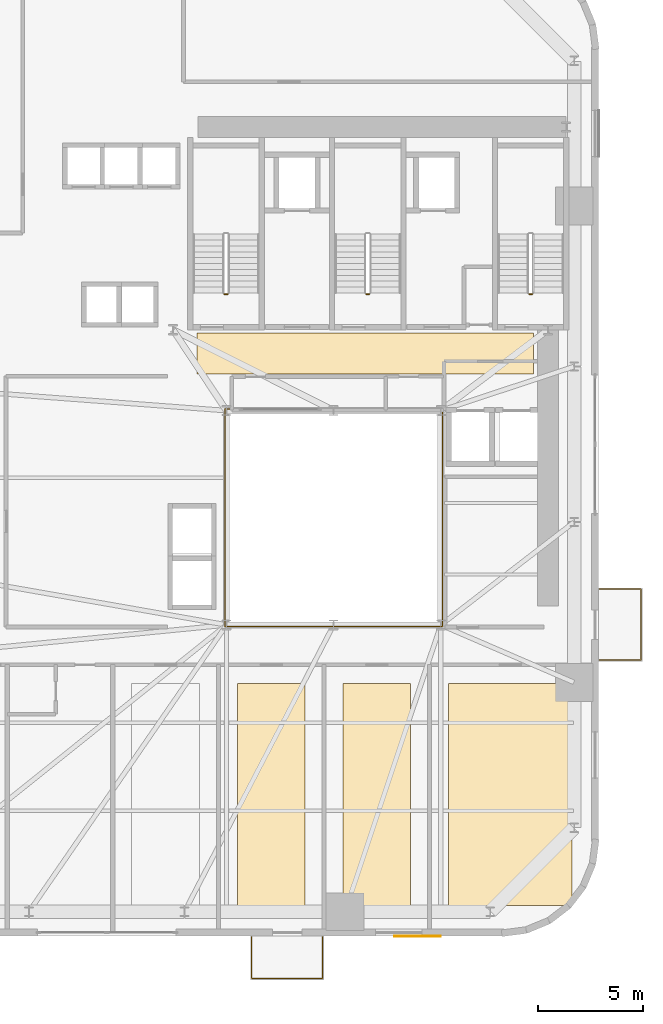
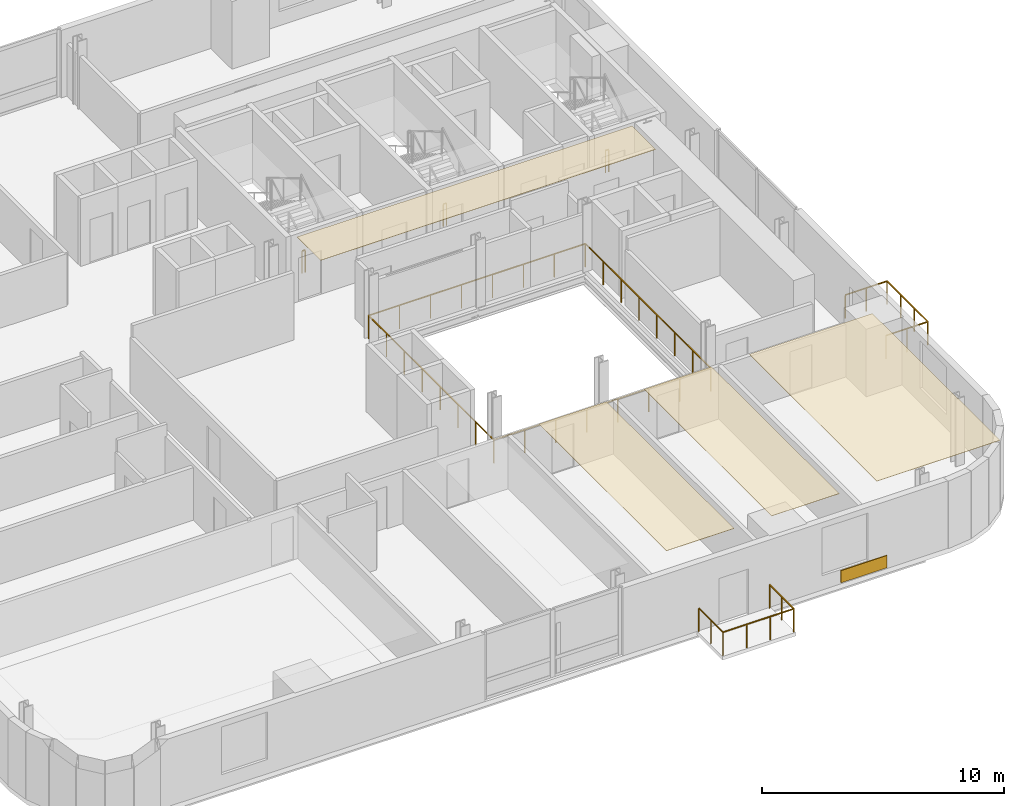
# One storey, part 11 of 13: 6 railings, 5 coverings.
"""IFC4 building model written with IfcOpenShell, lengths in metres."""

from ifc_helpers import new_model, si_unit, direction, frame, origin, origin_2d, place, context, subcontext, project, spatial, polyline, rectangle, outline, extrude, source, transform, mapped, material, layer, layer_set, type_object, element, save


model = new_model("IFC4")

# Units and contexts
model_context = context("Model", 3, precision=1e-05, world=origin(), true_north=direction((0.0, 1.0)))
body_context = subcontext(model_context, "Body", "Model", "MODEL_VIEW")
ifc_project = project(units=[si_unit("LENGTHUNIT", "METRE"), si_unit("AREAUNIT", "SQUARE_METRE"), si_unit("VOLUMEUNIT", "CUBIC_METRE"), si_unit("PLANEANGLEUNIT", "RADIAN"), si_unit("MASSUNIT", "GRAM", prefix="KILO")], contexts=[model_context])

# Site, building, storey
site_placement = place(None, origin())
site = spatial("IfcSite", under=ifc_project, at=site_placement, CompositionType="ELEMENT")
building_placement = place(site_placement, origin())
building = spatial("IfcBuilding", under=site, at=building_placement, Name="Vardaveli Station Tower", CompositionType="ELEMENT")
storey_placement = place(building_placement, frame((0.0, 0.0, 38.550048828125)))
storey = spatial("IfcBuildingStorey", under=building, at=storey_placement, Name="L09", CompositionType="ELEMENT", Elevation=38.550048828125)

# Coverings
ifc_material_1 = material(Name="Perforated acoustic mineral ceiling")
ifc_layer_1 = layer(ifc_material_1, 0.02001953125, Name="Perforated acoustic mineral ceiling")
ifc_layer_set_1 = layer_set([ifc_layer_1], Name="Perforated acoustic mineral ceiling")
covering_type_1 = type_object("IfcCoveringType", Name="COV-CEIL-AC20", PredefinedType="CEILING", material=ifc_layer_set_1)
covering_1_placement = place(storey_placement, frame((0.0, 0.0, 3.39501953125)))
element("IfcCovering", 1, at=covering_1_placement, inside=storey, type_object=covering_type_1, Name="CEIL-L09-3", PredefinedType="CEILING", context=body_context, shape_type="SweptSolid", body=[
    extrude(outline(polyline([(31.71337890625, 3.25), (34.93994140625, 3.25), (34.93994140625, 13.81005859375), (31.71337890625, 13.81005859375), (31.71337890625, 3.25)])), origin(), (0.0, 0.0, 1.0), 0.02001953125),
])
covering_2_placement = place(storey_placement, frame((0.0, 0.0, 3.39501953125)))
element("IfcCovering", 2, at=covering_2_placement, inside=storey, type_object=covering_type_1, Name="CEIL-L09-4", PredefinedType="CEILING", context=body_context, shape_type="SweptSolid", body=[
    extrude(outline(polyline([(36.739990234375, 3.25), (39.966796875, 3.25), (39.966796875, 13.81005859375), (36.739990234375, 13.81005859375), (36.739990234375, 3.25)])), origin(), (0.0, 0.0, 1.0), 0.02001953125),
])
covering_3_placement = place(storey_placement, frame((0.0, 0.0, 3.39501953125)))
element("IfcCovering", 3, at=covering_3_placement, inside=storey, type_object=covering_type_1, Name="CEIL-L09-5", PredefinedType="CEILING", context=body_context, shape_type="SweptSolid", body=[
    extrude(outline(polyline([(41.7666015625, 3.25), (47.64990234375, 3.25), (47.64990234375, 13.81005859375), (41.7666015625, 13.81005859375), (41.7666015625, 3.25)])), origin(), (0.0, 0.0, 1.0), 0.02001953125),
])
covering_4_placement = place(storey_placement, frame((0.0, 0.0, 3.39501953125)))
element("IfcCovering", 4, at=covering_4_placement, inside=storey, type_object=covering_type_1, Name="CEIL-L09-6", PredefinedType="CEILING", context=body_context, shape_type="SweptSolid", body=[
    extrude(outline(polyline([(29.800048828125, 28.550048828125), (45.800048828125, 28.550048828125), (45.800048828125, 30.5), (29.800048828125, 30.5), (29.800048828125, 28.550048828125)])), origin(), (0.0, 0.0, 1.0), 0.02001953125),
])
ifc_material_2 = material(Name="Ventilated honed travertine stone cladding", Category="masonry")
ifc_layer_2 = layer(ifc_material_2, 0.044921875, Name="Ventilated honed travertine stone cladding")
ifc_layer_set_2 = layer_set([ifc_layer_2], Name="Ventilated honed travertine stone cladding")
covering_type_2 = type_object("IfcCoveringType", Name="COV-CLAD-TR45", PredefinedType="CLADDING", material=ifc_layer_set_2)
shared_shape_1 = source(origin(), body_context, "Body", "SweptSolid", [
    extrude(rectangle(XDim=2.199951171875, YDim=0.044921875, at=origin_2d()), origin(), (0.0, 0.0, 1.0), 0.6201171875),
])
covering_5_placement = place(storey_placement, frame((40.294921875, 1.785400390625, 0.06982421875), z_axis=(0.0, 0.0, 1.0), x_axis=(1.0, 0.0, 0.0)))
element("IfcCovering", 5, at=covering_5_placement, inside=storey, type_object=covering_type_2, Name="CLD-TR-L09-S", PredefinedType="CLADDING", context=body_context, shape_type="MappedRepresentation", body=[
    mapped(shared_shape_1, transform((0.0, 0.0, 0.0), scale=1.0)),
])

# Railings
ifc_material_3 = material(Name="Laminated glass and stainless steel balustrade", Category="steel")
railing_type_1 = type_object("IfcRailingType", Name="RL-BAL-1200", PredefinedType="BALUSTRADE", material=ifc_material_3)
shared_shape_2 = source(origin(), body_context, "Body", "SweptSolid", [
    extrude(rectangle(XDim=0.048095703125, YDim=0.048095703125, at=origin_2d()), frame((0.0, 0.0, 1.17578125), z_axis=(0.0, -1.0, 0.0), x_axis=(1.0, 0.0, 0.0)), (0.0, 0.0, 1.0), 2.0),
    extrude(rectangle(XDim=0.048095703125, YDim=0.048095703125, at=origin_2d()), frame((0.0, -2.0, 1.17578125), z_axis=(1.0, 0.0, 0.0), x_axis=(0.0, 1.0, 0.0)), (0.0, 0.0, 1.0), 3.3798828125),
    extrude(rectangle(XDim=0.048095703125, YDim=0.048095703125, at=origin_2d()), frame((3.3798828125, -2.0, 1.17578125), z_axis=(0.0, 1.0, 0.0), x_axis=(-1.0, 0.0, 0.0)), (0.0, 0.0, 1.0), 2.0),
    extrude(rectangle(XDim=0.0419921875, YDim=0.0419921875, at=origin_2d()), origin(), (0.0, 0.0, 1.0), 1.15185546875),
    extrude(rectangle(XDim=0.0419921875, YDim=0.0419921875, at=origin_2d()), frame((0.0, -1.0, 0.0)), (0.0, 0.0, 1.0), 1.15185546875),
    extrude(rectangle(XDim=0.0419921875, YDim=0.0419921875, at=origin_2d()), frame((0.0, -2.0, 0.0)), (0.0, 0.0, 1.0), 1.15185546875),
    extrude(rectangle(XDim=0.0419921875, YDim=0.0419921875, at=origin_2d()), frame((1.126708984375, -2.0, 0.0)), (0.0, 0.0, 1.0), 1.15185546875),
    extrude(rectangle(XDim=0.0419921875, YDim=0.0419921875, at=origin_2d()), frame((2.253173828125, -2.0, 0.0)), (0.0, 0.0, 1.0), 1.15185546875),
    extrude(rectangle(XDim=0.0419921875, YDim=0.0419921875, at=origin_2d()), frame((3.3798828125, -2.0, 0.0)), (0.0, 0.0, 1.0), 1.15185546875),
    extrude(rectangle(XDim=0.0419921875, YDim=0.0419921875, at=origin_2d()), frame((3.3798828125, -1.0, 0.0)), (0.0, 0.0, 1.0), 1.15185546875),
    extrude(rectangle(XDim=0.0419921875, YDim=0.0419921875, at=origin_2d()), frame((3.3798828125, 0.0, 0.0)), (0.0, 0.0, 1.0), 1.15185546875),
])
railing_1_placement = place(storey_placement, frame((32.399658203125, 1.760009765625, 0.0)))
element("IfcRailing", 6, at=railing_1_placement, inside=storey, type_object=railing_type_1, Name="RL-LOG-L09-01", PredefinedType="BALUSTRADE", context=body_context, shape_type="MappedRepresentation", body=[
    mapped(shared_shape_2, transform((0.0, 0.0, 0.0), scale=1.0)),
])
shared_shape_3 = source(origin(), body_context, "Body", "SweptSolid", [
    extrude(rectangle(XDim=0.048095703125, YDim=0.048095703125, at=origin_2d()), frame((0.0, 0.0, 1.17578125), z_axis=(1.0, 0.0, 0.0), x_axis=(0.0, 1.0, 0.0)), (0.0, 0.0, 1.0), 2.0),
    extrude(rectangle(XDim=0.048095703125, YDim=0.048095703125, at=origin_2d()), frame((2.0, 0.0, 1.17578125), z_axis=(0.0, 1.0, 0.0), x_axis=(-1.0, 0.0, 0.0)), (0.0, 0.0, 1.0), 3.3798828125),
    extrude(rectangle(XDim=0.048095703125, YDim=0.048095703125, at=origin_2d()), frame((2.0, 3.3798828125, 1.17578125), z_axis=(-1.0, 0.0, 0.0), x_axis=(0.0, -1.0, 0.0)), (0.0, 0.0, 1.0), 2.0),
    extrude(rectangle(XDim=0.0419921875, YDim=0.0419921875, at=origin_2d()), origin(), (0.0, 0.0, 1.0), 1.15185546875),
    extrude(rectangle(XDim=0.0419921875, YDim=0.0419921875, at=origin_2d()), frame((1.0, 0.0, 0.0)), (0.0, 0.0, 1.0), 1.15185546875),
    extrude(rectangle(XDim=0.0419921875, YDim=0.0419921875, at=origin_2d()), frame((2.0, 0.0, 0.0)), (0.0, 0.0, 1.0), 1.15185546875),
    extrude(rectangle(XDim=0.0419921875, YDim=0.0419921875, at=origin_2d()), frame((2.0, 1.126708984375, 0.0)), (0.0, 0.0, 1.0), 1.15185546875),
    extrude(rectangle(XDim=0.0419921875, YDim=0.0419921875, at=origin_2d()), frame((2.0, 2.253173828125, 0.0)), (0.0, 0.0, 1.0), 1.15185546875),
    extrude(rectangle(XDim=0.0419921875, YDim=0.0419921875, at=origin_2d()), frame((2.0, 3.3798828125, 0.0)), (0.0, 0.0, 1.0), 1.15185546875),
    extrude(rectangle(XDim=0.0419921875, YDim=0.0419921875, at=origin_2d()), frame((1.0, 3.3798828125, 0.0)), (0.0, 0.0, 1.0), 1.15185546875),
    extrude(rectangle(XDim=0.0419921875, YDim=0.0419921875, at=origin_2d()), frame((0.0, 3.3798828125, 0.0)), (0.0, 0.0, 1.0), 1.15185546875),
])
railing_2_placement = place(storey_placement, frame((48.93994140625, 14.92041015625, 0.0)))
element("IfcRailing", 7, at=railing_2_placement, inside=storey, type_object=railing_type_1, Name="RL-LOG-L09-04", PredefinedType="BALUSTRADE", context=body_context, shape_type="MappedRepresentation", body=[
    mapped(shared_shape_3, transform((0.0, 0.0, 0.0), scale=1.0)),
])
ifc_material_4 = material(Name="Brushed AISI 316 stainless steel", Category="steel")
railing_type_2 = type_object("IfcRailingType", Name="RL-GUARD-1150", PredefinedType="GUARDRAIL", material=ifc_material_4)
shared_shape_4 = source(origin(), body_context, "Body", "SweptSolid", [
    extrude(rectangle(XDim=0.048095703125, YDim=0.048095703125, at=origin_2d()), frame((0.0, 0.0, 1.1259765625), z_axis=(-1.0, 0.0, 0.0), x_axis=(0.0, -1.0, 0.0)), (0.0, 0.0, 1.0), 0.14990234375),
    extrude(rectangle(XDim=0.0419921875, YDim=0.0419921875, at=origin_2d()), origin(), (0.0, 0.0, 1.0), 1.101806640625),
    extrude(rectangle(XDim=0.0419921875, YDim=0.0419921875, at=origin_2d()), frame((-0.14990234375, 0.0, 0.0)), (0.0, 0.0, 1.0), 1.101806640625),
])
for number, where, name in (
    (8, (31.25, 32.35009765625, 0.0), "L09 ST-1 stair guard 4"),
    (9, (38.0, 32.35009765625, 0.0), "L09 ST-2 stair guard 4"),
    (10, (45.75, 32.35009765625, 0.0), "L09 ST-3 stair guard 4"),
):
    element("IfcRailing", number, at=place(storey_placement, frame(where)), inside=storey, type_object=railing_type_2, Name=name, PredefinedType="GUARDRAIL", context=body_context, shape_type="MappedRepresentation", body=[
        mapped(shared_shape_4, transform((0.0, 0.0, 0.0), scale=1.0)),
    ])
shared_shape_5 = source(origin(), body_context, "Body", "SweptSolid", [
    extrude(rectangle(XDim=0.048095703125, YDim=0.048095703125, at=origin_2d()), frame((0.0, 0.0, 1.17578125), z_axis=(1.0, 0.0, 0.0), x_axis=(0.0, 1.0, 0.0)), (0.0, 0.0, 1.0), 10.35986328125),
    extrude(rectangle(XDim=0.048095703125, YDim=0.048095703125, at=origin_2d()), frame((10.35986328125, 0.0, 1.17578125), z_axis=(0.0, 1.0, 0.0), x_axis=(-1.0, 0.0, 0.0)), (0.0, 0.0, 1.0), 10.35986328125),
    extrude(rectangle(XDim=0.048095703125, YDim=0.048095703125, at=origin_2d()), frame((10.35986328125, 10.35986328125, 1.17578125), z_axis=(-1.0, 0.0, 0.0), x_axis=(0.0, -1.0, 0.0)), (0.0, 0.0, 1.0), 10.35986328125),
    extrude(rectangle(XDim=0.048095703125, YDim=0.048095703125, at=origin_2d()), frame((0.0, 10.35986328125, 1.17578125), z_axis=(0.0, -1.0, 0.0), x_axis=(1.0, 0.0, 0.0)), (0.0, 0.0, 1.0), 10.35986328125),
    extrude(rectangle(XDim=0.0419921875, YDim=0.0419921875, at=origin_2d()), origin(), (0.0, 0.0, 1.0), 1.15185546875),
    extrude(rectangle(XDim=0.0419921875, YDim=0.0419921875, at=origin_2d()), frame((1.47998046875, 0.0, 0.0)), (0.0, 0.0, 1.0), 1.15185546875),
    extrude(rectangle(XDim=0.0419921875, YDim=0.0419921875, at=origin_2d()), frame((2.9599609375, 0.0, 0.0)), (0.0, 0.0, 1.0), 1.15185546875),
    extrude(rectangle(XDim=0.0419921875, YDim=0.0419921875, at=origin_2d()), frame((4.43994140625, 0.0, 0.0)), (0.0, 0.0, 1.0), 1.15185546875),
    extrude(rectangle(XDim=0.0419921875, YDim=0.0419921875, at=origin_2d()), frame((5.919921875, 0.0, 0.0)), (0.0, 0.0, 1.0), 1.15185546875),
    extrude(rectangle(XDim=0.0419921875, YDim=0.0419921875, at=origin_2d()), frame((7.39990234375, 0.0, 0.0)), (0.0, 0.0, 1.0), 1.15185546875),
    extrude(rectangle(XDim=0.0419921875, YDim=0.0419921875, at=origin_2d()), frame((8.8798828125, 0.0, 0.0)), (0.0, 0.0, 1.0), 1.15185546875),
    extrude(rectangle(XDim=0.0419921875, YDim=0.0419921875, at=origin_2d()), frame((10.35986328125, 0.0, 0.0)), (0.0, 0.0, 1.0), 1.15185546875),
    extrude(rectangle(XDim=0.0419921875, YDim=0.0419921875, at=origin_2d()), frame((10.35986328125, 1.47998046875, 0.0)), (0.0, 0.0, 1.0), 1.15185546875),
    extrude(rectangle(XDim=0.0419921875, YDim=0.0419921875, at=origin_2d()), frame((10.35986328125, 2.9599609375, 0.0)), (0.0, 0.0, 1.0), 1.15185546875),
    extrude(rectangle(XDim=0.0419921875, YDim=0.0419921875, at=origin_2d()), frame((10.35986328125, 4.43994140625, 0.0)), (0.0, 0.0, 1.0), 1.15185546875),
    extrude(rectangle(XDim=0.0419921875, YDim=0.0419921875, at=origin_2d()), frame((10.35986328125, 5.919921875, 0.0)), (0.0, 0.0, 1.0), 1.15185546875),
    extrude(rectangle(XDim=0.0419921875, YDim=0.0419921875, at=origin_2d()), frame((10.35986328125, 7.39990234375, 0.0)), (0.0, 0.0, 1.0), 1.15185546875),
    extrude(rectangle(XDim=0.0419921875, YDim=0.0419921875, at=origin_2d()), frame((10.35986328125, 8.8798828125, 0.0)), (0.0, 0.0, 1.0), 1.15185546875),
    extrude(rectangle(XDim=0.0419921875, YDim=0.0419921875, at=origin_2d()), frame((10.35986328125, 10.35986328125, 0.0)), (0.0, 0.0, 1.0), 1.15185546875),
    extrude(rectangle(XDim=0.0419921875, YDim=0.0419921875, at=origin_2d()), frame((8.8798828125, 10.35986328125, 0.0)), (0.0, 0.0, 1.0), 1.15185546875),
    extrude(rectangle(XDim=0.0419921875, YDim=0.0419921875, at=origin_2d()), frame((7.39990234375, 10.35986328125, 0.0)), (0.0, 0.0, 1.0), 1.15185546875),
    extrude(rectangle(XDim=0.0419921875, YDim=0.0419921875, at=origin_2d()), frame((5.919921875, 10.35986328125, 0.0)), (0.0, 0.0, 1.0), 1.15185546875),
    extrude(rectangle(XDim=0.0419921875, YDim=0.0419921875, at=origin_2d()), frame((4.43994140625, 10.35986328125, 0.0)), (0.0, 0.0, 1.0), 1.15185546875),
    extrude(rectangle(XDim=0.0419921875, YDim=0.0419921875, at=origin_2d()), frame((2.9599609375, 10.35986328125, 0.0)), (0.0, 0.0, 1.0), 1.15185546875),
    extrude(rectangle(XDim=0.0419921875, YDim=0.0419921875, at=origin_2d()), frame((1.47998046875, 10.35986328125, 0.0)), (0.0, 0.0, 1.0), 1.15185546875),
    extrude(rectangle(XDim=0.0419921875, YDim=0.0419921875, at=origin_2d()), frame((0.0, 10.35986328125, 0.0)), (0.0, 0.0, 1.0), 1.15185546875),
    extrude(rectangle(XDim=0.0419921875, YDim=0.0419921875, at=origin_2d()), frame((0.0, 8.8798828125, 0.0)), (0.0, 0.0, 1.0), 1.15185546875),
    extrude(rectangle(XDim=0.0419921875, YDim=0.0419921875, at=origin_2d()), frame((0.0, 7.39990234375, 0.0)), (0.0, 0.0, 1.0), 1.15185546875),
    extrude(rectangle(XDim=0.0419921875, YDim=0.0419921875, at=origin_2d()), frame((0.0, 5.919921875, 0.0)), (0.0, 0.0, 1.0), 1.15185546875),
    extrude(rectangle(XDim=0.0419921875, YDim=0.0419921875, at=origin_2d()), frame((0.0, 4.43994140625, 0.0)), (0.0, 0.0, 1.0), 1.15185546875),
    extrude(rectangle(XDim=0.0419921875, YDim=0.0419921875, at=origin_2d()), frame((0.0, 2.9599609375, 0.0)), (0.0, 0.0, 1.0), 1.15185546875),
    extrude(rectangle(XDim=0.0419921875, YDim=0.0419921875, at=origin_2d()), frame((0.0, 1.47998046875, 0.0)), (0.0, 0.0, 1.0), 1.15185546875),
])
railing_3_placement = place(storey_placement, frame((31.1201171875, 16.52001953125, 0.0)))
element("IfcRailing", 11, at=railing_3_placement, inside=storey, type_object=railing_type_1, Name="RL-ATR-L09", PredefinedType="BALUSTRADE", context=body_context, shape_type="MappedRepresentation", body=[
    mapped(shared_shape_5, transform((0.0, 0.0, 0.0), scale=1.0)),
])

save(model, "model.ifc")
